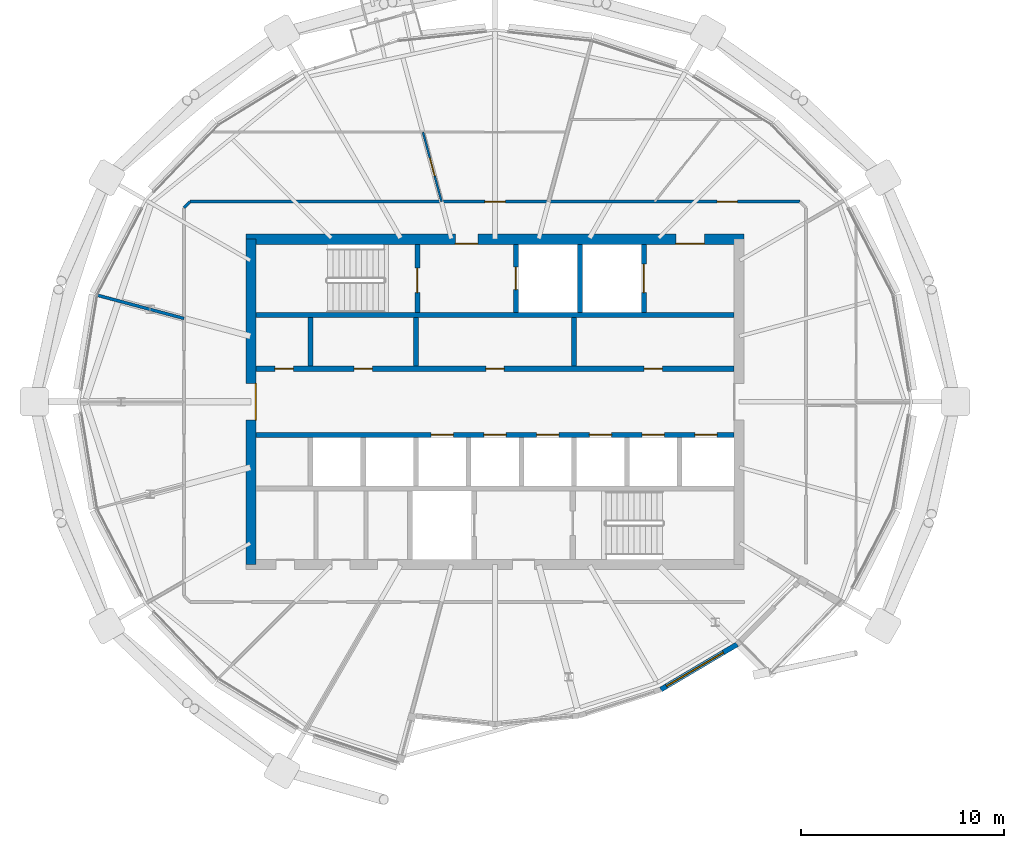
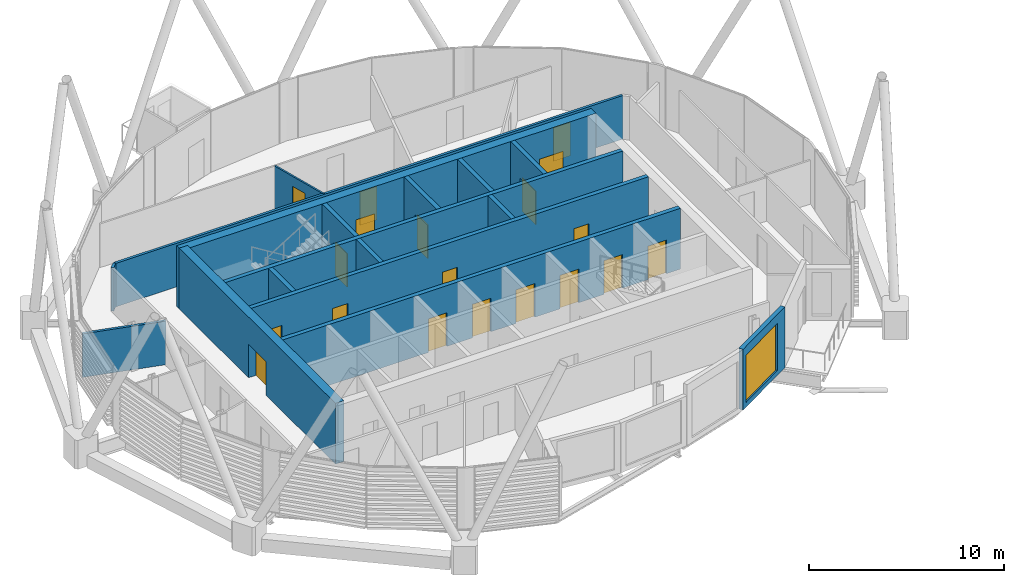
# One storey, part 20 of 32: 19 doors, 17 walls, 1 window, 20 openings.
"""IFC4 building model written with IfcOpenShell, lengths in metres."""

import ifcopenshell
import ifcopenshell.guid

model = None  # the IFC model being written
_history = None  # IfcOwnerHistory: only IFC2X3 demands one
_inside = {}  # id of a spatial element -> (the spatial element, [elements in it])
_under = {}  # id of a project, library or spatial element -> (it, [spatial elements below it])
_declared = {}  # id of a project -> (the project, [libraries it declares])
_typed = {}  # id of a type object -> (the type object, [elements of that type])
_made_of = {}  # id of a material, layer set ... -> (it, [elements and type objects made of it])


def new_model(schema):
    """Start an empty IFC model of exactly this schema.

    Asked for "IFC4X3", IfcOpenShell would pick the latest addendum, in which some entities
    have other attributes; the version numbers below select the first issue.
    IFC2X3 requires an IfcOwnerHistory on every rooted entity: one is made here for all.
    """
    global model, _history
    if schema == "IFC4X3":
        model = ifcopenshell.file(schema_version=(4, 3, 0, 0))
    else:
        model = ifcopenshell.file(schema=schema)
    _inside.clear()
    _under.clear()
    _declared.clear()
    _typed.clear()
    _made_of.clear()
    _history = None
    if model.schema == "IFC2X3":
        org = make("IfcOrganization", Name="unknown")
        user = make(
            "IfcPersonAndOrganization",
            ThePerson=make("IfcPerson", FamilyName="unknown"),
            TheOrganization=org,
        )
        app = make(
            "IfcApplication",
            ApplicationDeveloper=org,
            Version="unknown",
            ApplicationFullName="unknown",
            ApplicationIdentifier="unknown",
        )
        _history = make(
            "IfcOwnerHistory",
            OwningUser=user,
            OwningApplication=app,
            ChangeAction="ADDED",
            CreationDate=0,
        )
    return model


def make(cls, **values):
    """One entity of the class cls with the attributes given. An attribute that is None is left unset."""
    return model.create_entity(
        cls, **{name: value for name, value in values.items() if value is not None}
    )


def rooted(cls, **values):
    """An entity with a GlobalId (a new one), such as an element, a storey or a relation."""
    return make(cls, GlobalId=ifcopenshell.guid.new(), OwnerHistory=_history, **values)


def si_unit(unit_type, name, prefix=None):
    """IfcSIUnit, for example si_unit("LENGTHUNIT", "METRE", prefix="MILLI")."""
    return make("IfcSIUnit", UnitType=unit_type, Prefix=prefix, Name=name)


def assignment(units):
    """IfcUnitAssignment: the units of a project."""
    return None if units is None else make("IfcUnitAssignment", Units=units)


def point(xyz):
    """IfcCartesianPoint."""
    return None if xyz is None else make("IfcCartesianPoint", Coordinates=xyz)


def direction(xyz):
    """IfcDirection."""
    return None if xyz is None else make("IfcDirection", DirectionRatios=xyz)


def frame(location, z_axis=None, x_axis=None):
    """IfcAxis2Placement3D, a coordinate frame: its origin and axes. An axis left out is left unset."""
    return make(
        "IfcAxis2Placement3D",
        Location=point(location),
        Axis=direction(z_axis),
        RefDirection=direction(x_axis),
    )


def frame_2d(location, x_axis=None):
    """IfcAxis2Placement2D, a coordinate frame in the plane: its origin and x axis."""
    return make(
        "IfcAxis2Placement2D", Location=point(location), RefDirection=direction(x_axis)
    )


def origin():
    """The frame at (0, 0, 0) with its axes left unset."""
    return frame((0.0, 0.0, 0.0))


def place(relative_to, where):
    """IfcLocalPlacement: puts the frame where relative to a parent placement (None: the world)."""
    return make(
        "IfcLocalPlacement", PlacementRelTo=relative_to, RelativePlacement=where
    )


def context(
    kind, dimensions, precision=None, world=None, true_north=None, identifier=None
):
    """IfcGeometricRepresentationContext, for example the 3D "Model" context."""
    return make(
        "IfcGeometricRepresentationContext",
        ContextIdentifier=identifier,
        ContextType=kind,
        CoordinateSpaceDimension=dimensions,
        Precision=precision,
        WorldCoordinateSystem=world,
        TrueNorth=true_north,
    )


def subcontext(parent, identifier, kind, view, scale=None):
    """IfcGeometricRepresentationSubContext, for example "Body" below "Model"."""
    return make(
        "IfcGeometricRepresentationSubContext",
        ContextIdentifier=identifier,
        ContextType=kind,
        ParentContext=parent,
        TargetScale=scale,
        TargetView=view,
    )


def project(units=None, contexts=None):
    """IfcProject with its units and contexts."""
    return rooted(
        "IfcProject",
        Name="project",
        RepresentationContexts=contexts,
        UnitsInContext=assignment(units),
    )


def spatial(cls, under=None, at=None, **own):
    """A site, building, storey or space (cls), placed at a placement, below another one or the project."""
    s = rooted(cls, ObjectPlacement=at, **own)
    if under is not None:
        _under.setdefault(under.id(), (under, []))[1].append(s)
    return s


def profile(cls, at=None, kind="AREA", **sizes):
    """A parametric profile (cls). Its sizes go by their IFC names, for example OverallWidth=200.0."""
    return make(cls, ProfileType=kind, Position=at, **sizes)


def rectangle(**sizes):
    """IfcRectangleProfileDef."""
    return profile("IfcRectangleProfileDef", **sizes)


def extrude(swept, where, along, depth):
    """IfcExtrudedAreaSolid: the profile swept, set in the frame where, extruded along a direction by depth."""
    return make(
        "IfcExtrudedAreaSolid",
        SweptArea=swept,
        Position=where,
        ExtrudedDirection=direction(along),
        Depth=depth,
    )


def shape(context_of_items, identifier, shape_type, items):
    """IfcShapeRepresentation: the items that make up one representation, for example the "Body"."""
    return make(
        "IfcShapeRepresentation",
        ContextOfItems=context_of_items,
        RepresentationIdentifier=identifier,
        RepresentationType=shape_type,
        Items=items,
    )


def material(Name=None, Category=None):
    """IfcMaterial."""
    return make("IfcMaterial", Name=Name, Category=Category)


def layer(
    of_material, thickness, ventilated=None, Name=None, Category=None, Priority=None
):
    """IfcMaterialLayer: one layer of a wall or slab, of a material (None: an air gap)."""
    return make(
        "IfcMaterialLayer",
        Material=of_material,
        LayerThickness=thickness,
        IsVentilated=ventilated,
        Name=Name,
        Category=Category,
        Priority=Priority,
    )


def layer_set(layers, Name=None):
    """IfcMaterialLayerSet."""
    return make("IfcMaterialLayerSet", MaterialLayers=layers, LayerSetName=Name)


def made_of(thing, what):
    """Note that an element or type object is made of a material, layer set ...; save() writes the relation."""
    if what is not None:
        _made_of.setdefault(what.id(), (what, []))[1].append(thing)
    return thing


def type_object(cls, material=None, **own):
    """A type object (cls), such as IfcWallType, which elements share."""
    return made_of(rooted(cls, **own), material)


def element(
    cls,
    number,
    at=None,
    inside=None,
    cuts=None,
    type_object=None,
    material=None,
    context=None,
    identifier="Body",
    shape_type=None,
    held_by="IfcProductDefinitionShape",
    body=None,
    shapes=None,
    **own,
):
    """One element of the class cls, such as IfcWall. Its Tag is "e" and its number.

    at: its placement. inside: the storey or other place that contains it. cuts: it is an
    opening in that element (IfcRelVoidsElement). A single representation is given by context,
    identifier, shape_type and body (its items); several are given by shapes. held_by: the class
    of the entity that holds the representations. save() writes the other relations.
    """
    e = rooted(cls, Tag="e%d" % number, ObjectPlacement=at, **own)
    if body is not None:
        shapes = [shape(context, identifier, shape_type, body)]
    if shapes is not None:
        e.Representation = make(held_by, Representations=shapes)
    if inside is not None:
        _inside.setdefault(inside.id(), (inside, []))[1].append(e)
    if cuts is not None:
        rooted(
            "IfcRelVoidsElement", RelatingBuildingElement=cuts, RelatedOpeningElement=e
        )
    if type_object is not None:
        _typed.setdefault(type_object.id(), (type_object, []))[1].append(e)
    return made_of(e, material)


def fill(opening, filler):
    """IfcRelFillsElement: the door or window that sits in an opening."""
    return rooted(
        "IfcRelFillsElement",
        RelatingOpeningElement=opening,
        RelatedBuildingElement=filler,
    )


def aggregate(whole, parts):
    """IfcRelAggregates: a whole, such as a stair, and the parts it consists of."""
    return rooted("IfcRelAggregates", RelatingObject=whole, RelatedObjects=parts)


def save(model, path):
    """Write the relations noted so far, then the file.

    IfcRelAggregates (storeys below a building ...), IfcRelContainedInSpatialStructure (elements
    in a storey), IfcRelDefinesByType, IfcRelAssociatesMaterial and IfcRelDeclares: one each for
    every whole, place, type object, material and project.
    """
    for whole, parts in _under.values():
        aggregate(whole, parts)
    for where, things in _inside.values():
        rooted(
            "IfcRelContainedInSpatialStructure",
            RelatedElements=things,
            RelatingStructure=where,
        )
    for kind, things in _typed.values():
        rooted("IfcRelDefinesByType", RelatedObjects=things, RelatingType=kind)
    for what, things in _made_of.values():
        rooted("IfcRelAssociatesMaterial", RelatedObjects=things, RelatingMaterial=what)
    for by, libraries in _declared.values():
        rooted("IfcRelDeclares", RelatingContext=by, RelatedDefinitions=libraries)
    model.write(path)


model = new_model("IFC4")

# Units and contexts
model_context = context("Model", 3, precision=1e-05, world=origin(), true_north=direction((0.0, 1.0)))
body_context = subcontext(model_context, "Body", "Model", "MODEL_VIEW")
ifc_project = project(units=[si_unit("LENGTHUNIT", "METRE"), si_unit("AREAUNIT", "SQUARE_METRE"), si_unit("VOLUMEUNIT", "CUBIC_METRE"), si_unit("PLANEANGLEUNIT", "RADIAN"), si_unit("MASSUNIT", "GRAM", prefix="KILO")], contexts=[model_context])

# Site, building, storey
site_placement = place(None, origin())
site = spatial("IfcSite", under=ifc_project, at=site_placement, CompositionType="ELEMENT")
building_placement = place(site_placement, origin())
building = spatial("IfcBuilding", under=site, at=building_placement, Name="Rimbun Link Towers", CompositionType="ELEMENT")
storey_placement = place(building_placement, frame((0.0, 0.0, 233.300048828125)))
storey = spatial("IfcBuildingStorey", under=building, at=storey_placement, Name="L57", CompositionType="ELEMENT", Elevation=233.300048828125)

# Wall, opening, window
ifc_material_1 = material(Name="Dark enamelled glass spandrel on insulated aluminium backpan", Category="aluminium")
ifc_layer_1 = layer(ifc_material_1, 0.25)
ifc_layer_set_1 = layer_set([ifc_layer_1], Name="CS dark enamelled spandrel wall 250")
wall_type_1 = type_object("IfcWallType", Name="CS dark enamelled spandrel wall 250", PredefinedType="STANDARD", material=ifc_layer_set_1)
wall_1_placement = place(storey_placement, frame((-19.836669921875, -11.93505859375, 0.0), z_axis=(0.0, 0.0, 1.0), x_axis=(-0.860265171874, -0.50984687315, 0.0)))
wall_1 = element("IfcWall", 1, at=wall_1_placement, inside=storey, type_object=wall_type_1, Name="Crease spandrel wall", PredefinedType="STANDARD", context=body_context, shape_type="SweptSolid", body=[
    extrude(rectangle(XDim=4.36279296875, YDim=0.25, at=frame_2d((2.181396484375, 0.0))), origin(), (0.0, 0.0, 1.0), 3.800048828125),
])
opening_1_placement = place(wall_1_placement, frame((0.786376953125, 0.0, 0.300048828125)))
opening_1 = element("IfcOpeningElement", 2, at=opening_1_placement, cuts=wall_1, Name="Opening WR32H295", PredefinedType="OPENING", context=body_context, shape_type="SweptSolid", body=[
    extrude(rectangle(XDim=3.25, YDim=2.949951171875, at=frame_2d((1.625, 1.47509765625))), frame((0.0, 0.135009765625, 0.0), z_axis=(0.0, -1.0, 0.0), x_axis=(1.0, 0.0, 0.0)), (0.0, 0.0, 1.0), 0.27001953125),
])
ifc_material_2 = material(Name="Aluminium framed fixed window, dark tinted low-e glass", Category="aluminium")
window_type = type_object("IfcWindowType", Name="WR ribbon window 3250X2950", PartitioningType="SINGLE_PANEL", PredefinedType="WINDOW", material=ifc_material_2)
window_placement = place(opening_1_placement, origin())
window = element("IfcWindow", 3, at=window_placement, inside=storey, type_object=window_type, Name="Crease ribbon window", OverallHeight=2.949951171875, OverallWidth=3.25, PartitioningType="SINGLE_PANEL", PredefinedType="WINDOW", context=body_context, shape_type="SweptSolid", body=[
    extrude(rectangle(XDim=3.25, YDim=2.949951171875, at=frame_2d((1.625, 1.47509765625))), frame((0.0, 0.030029296875, 0.0), z_axis=(0.0, -1.0, 0.0), x_axis=(1.0, 0.0, 0.0)), (0.0, 0.0, 1.0), 0.06005859375),
])
fill(opening_1, window)

# Wall, openings, doors
ifc_material_3 = material(Name="Concrete C60/75", Category="concrete")
ifc_layer_2 = layer(ifc_material_3, 0.5)
ifc_layer_set_2 = layer_set([ifc_layer_2], Name="Core shear wall 500")
wall_type_2 = type_object("IfcWallType", Name="Core shear wall 500", PredefinedType="SHEAR", material=ifc_layer_set_2)
wall_2_placement = place(storey_placement, frame((-44.0, 8.0, 0.0), z_axis=(0.0, 0.0, 1.0), x_axis=(1.0, 0.0, 0.0)))
wall_2 = element("IfcWall", 4, at=wall_2_placement, inside=storey, type_object=wall_type_2, Name="L57 T1 core wall N", PredefinedType="SHEAR", context=body_context, shape_type="SweptSolid", body=[
    extrude(rectangle(XDim=24.5, YDim=0.5, at=frame_2d((12.25, 0.0))), origin(), (0.0, 0.0, 1.0), 3.800048828125),
])
opening_2_placement = place(wall_2_placement, frame((10.300048828125, 0.0, 0.0)))
opening_2 = element("IfcOpeningElement", 5, at=opening_2_placement, cuts=wall_2, Name="Opening C1DCF01N", PredefinedType="OPENING", context=body_context, shape_type="SweptSolid", body=[
    extrude(rectangle(XDim=1.10009765625, YDim=2.10009765625, at=frame_2d((0.550048828125, 1.050048828125))), frame((0.0, 0.260009765625, 0.0), z_axis=(0.0, -1.0, 0.0), x_axis=(1.0, 0.0, 0.0)), (0.0, 0.0, 1.0), 0.52001953125),
])
opening_3_placement = place(wall_2_placement, frame((21.14990234375, 0.0, 0.0)))
opening_3 = element("IfcOpeningElement", 6, at=opening_3_placement, cuts=wall_2, Name="Opening C1DSL02N", PredefinedType="OPENING", context=body_context, shape_type="SweptSolid", body=[
    extrude(rectangle(XDim=1.39990234375, YDim=2.10009765625, at=frame_2d((0.699951171875, 1.050048828125))), frame((0.0, 0.260009765625, 0.0), z_axis=(0.0, -1.0, 0.0), x_axis=(1.0, 0.0, 0.0)), (0.0, 0.0, 1.0), 0.52001953125),
])
ifc_material_4 = material(Name="Steel fire door set", Category="steel")
door_type_1 = type_object("IfcDoorType", Name="Core fire door single", OperationType="SINGLE_SWING_LEFT", PredefinedType="DOOR", material=ifc_material_4)
door_1_placement = place(opening_2_placement, origin())
door_1 = element("IfcDoor", 7, at=door_1_placement, inside=storey, type_object=door_type_1, Name="L57 T1 firefighting lobby n door", OperationType="SINGLE_SWING_LEFT", OverallHeight=2.10009765625, OverallWidth=1.10009765625, PredefinedType="DOOR", context=body_context, shape_type="SweptSolid", body=[
    extrude(rectangle(XDim=1.10009765625, YDim=2.10009765625, at=frame_2d((0.550048828125, 1.050048828125))), frame((0.0, -0.2001953125, 0.0), z_axis=(0.0, -1.0, 0.0), x_axis=(1.0, 0.0, 0.0)), (0.0, 0.0, 1.0), 0.050048828125),
])
fill(opening_2, door_1)
ifc_material_5 = material(Name="Steel fire door set", Category="steel")
door_type_2 = type_object("IfcDoorType", Name="Service lobby door double", OperationType="DOUBLE_DOOR_SINGLE_SWING", PredefinedType="DOOR", material=ifc_material_5)
door_2_placement = place(opening_3_placement, origin())
door_2 = element("IfcDoor", 8, at=door_2_placement, inside=storey, type_object=door_type_2, Name="L57 T1 service lobby door", OperationType="DOUBLE_DOOR_SINGLE_SWING", OverallHeight=2.10009765625, OverallWidth=1.39990234375, PredefinedType="DOOR", context=body_context, shape_type="SweptSolid", body=[
    extrude(rectangle(XDim=1.39990234375, YDim=2.10009765625, at=frame_2d((0.699951171875, 1.050048828125))), frame((0.0, -0.2001953125, 0.0), z_axis=(0.0, -1.0, 0.0), x_axis=(1.0, 0.0, 0.0)), (0.0, 0.0, 1.0), 0.050048828125),
])
fill(opening_3, door_2)

# Wall, opening, door
wall_3_placement = place(storey_placement, frame((-43.75, -8.0, 0.0), z_axis=(0.0, 0.0, 1.0), x_axis=(0.0, 1.0, 0.0)))
wall_3 = element("IfcWall", 9, at=wall_3_placement, inside=storey, type_object=wall_type_2, Name="L57 T1 core wall W", PredefinedType="SHEAR", context=body_context, shape_type="SweptSolid", body=[
    extrude(rectangle(XDim=16.0, YDim=0.5, at=frame_2d((8.0, 0.0))), origin(), (0.0, 0.0, 1.0), 3.800048828125),
])
opening_4_placement = place(wall_3_placement, frame((7.10009765625, 0.0, 0.0)))
opening_4 = element("IfcOpeningElement", 10, at=opening_4_placement, cuts=wall_3, Name="Opening C1DCL01W", PredefinedType="OPENING", context=body_context, shape_type="SweptSolid", body=[
    extrude(rectangle(XDim=1.800048828125, YDim=2.10009765625, at=frame_2d((0.89990234375, 1.050048828125))), frame((0.0, 0.260009765625, 0.0), z_axis=(0.0, -1.0, 0.0), x_axis=(1.0, 0.0, 0.0)), (0.0, 0.0, 1.0), 0.52001953125),
])
ifc_material_6 = material(Name="Steel fire door set", Category="steel")
door_type_3 = type_object("IfcDoorType", Name="Core lobby door double", OperationType="DOUBLE_DOOR_SINGLE_SWING", PredefinedType="DOOR", material=ifc_material_6)
door_3_placement = place(opening_4_placement, origin())
door_3 = element("IfcDoor", 11, at=door_3_placement, inside=storey, type_object=door_type_3, Name="L57 T1 lift lobby door", OperationType="DOUBLE_DOOR_SINGLE_SWING", OverallHeight=2.10009765625, OverallWidth=1.800048828125, PredefinedType="DOOR", context=body_context, shape_type="SweptSolid", body=[
    extrude(rectangle(XDim=1.800048828125, YDim=2.10009765625, at=frame_2d((0.89990234375, 1.050048828125))), frame((0.0, -0.2001953125, 0.0), z_axis=(0.0, -1.0, 0.0), x_axis=(1.0, 0.0, 0.0)), (0.0, 0.0, 1.0), 0.050048828125),
])
fill(opening_4, door_3)

# Wall
ifc_material_7 = material(Name="Plasterboard on steel stud, mineral wool", Category="steel")
ifc_layer_3 = layer(ifc_material_7, 0.14990234375)
ifc_layer_set_3 = layer_set([ifc_layer_3], Name="Corridor wall EI 30 150 mm")
wall_type_3 = type_object("IfcWallType", Name="Corridor wall EI 30 150 mm", PredefinedType="PARTITIONING", material=ifc_layer_set_3)
wall_4_placement = place(storey_placement, frame((-46.753662109375, 9.844970703125, 0.0), z_axis=(0.0, 0.0, 1.0), x_axis=(-0.707106781187, -0.707106781187, 0.0)))
element("IfcWall", 12, at=wall_4_placement, inside=storey, type_object=wall_type_3, Name="Corridor wall EI 30 150 mm", PredefinedType="PARTITIONING", context=body_context, shape_type="SweptSolid", body=[
    extrude(rectangle(XDim=0.426025390625, YDim=0.14990234375, at=frame_2d((0.212890625, 0.0))), origin(), (0.0, 0.0, 1.0), 2.721923828125),
])

# Wall, openings, doors
wall_5_placement = place(storey_placement, frame((-46.753662109375, 9.844970703125, 0.0), z_axis=(0.0, 0.0, 1.0), x_axis=(1.0, 0.0, 0.0)))
wall_5 = element("IfcWall", 13, at=wall_5_placement, inside=storey, type_object=wall_type_3, Name="Corridor wall EI 30 150 mm", PredefinedType="PARTITIONING", context=body_context, shape_type="SweptSolid", body=[
    extrude(rectangle(XDim=30.00732421875, YDim=0.14990234375, at=frame_2d((15.003662109375, 0.0))), origin(), (0.0, 0.0, 1.0), 2.721923828125),
])
opening_5_placement = place(wall_5_placement, frame((25.933837890625, 0.0, 0.0)))
opening_5 = element("IfcOpeningElement", 14, at=opening_5_placement, cuts=wall_5, Name="Opening D01", PredefinedType="OPENING", context=body_context, shape_type="SweptSolid", body=[
    extrude(rectangle(XDim=1.0, YDim=2.10009765625, at=frame_2d((0.5, 1.050048828125))), frame((0.0, 0.0849609375, 0.0), z_axis=(0.0, -1.0, 0.0), x_axis=(1.0, 0.0, 0.0)), (0.0, 0.0, 1.0), 0.169921875),
])
opening_6_placement = place(wall_5_placement, frame((14.507080078125, 0.0, 0.0)))
opening_6 = element("IfcOpeningElement", 15, at=opening_6_placement, cuts=wall_5, Name="Opening D01", PredefinedType="OPENING", context=body_context, shape_type="SweptSolid", body=[
    extrude(rectangle(XDim=1.0, YDim=2.10009765625, at=frame_2d((0.5, 1.050048828125))), frame((0.0, 0.0849609375, 0.0), z_axis=(0.0, -1.0, 0.0), x_axis=(1.0, 0.0, 0.0)), (0.0, 0.0, 1.0), 0.169921875),
])
ifc_material_8 = material(Name="Fire-resisting timber door leaf", Category="wood")
door_type_4 = type_object("IfcDoorType", Name="Fire door FD30S 1000", OperationType="NOTDEFINED", PredefinedType="DOOR", material=ifc_material_8)
door_4_placement = place(opening_5_placement, origin())
door_4 = element("IfcDoor", 16, at=door_4_placement, inside=storey, type_object=door_type_4, Name="Fire door FD30S 1000 to Reception", OperationType="SINGLE_SWING_RIGHT", OverallHeight=2.10009765625, OverallWidth=1.0, PredefinedType="DOOR", context=body_context, shape_type="SweptSolid", body=[
    extrude(rectangle(XDim=1.0, YDim=2.10009765625, at=frame_2d((0.5, 1.050048828125))), frame((0.0, 0.02490234375, 0.0), z_axis=(0.0, -1.0, 0.0), x_axis=(1.0, 0.0, 0.0)), (0.0, 0.0, 1.0), 0.050048828125),
])
fill(opening_5, door_4)
door_5_placement = place(opening_6_placement, origin())
door_5 = element("IfcDoor", 17, at=door_5_placement, inside=storey, type_object=door_type_4, Name="Fire door FD30S 1000 to Reception", OperationType="SINGLE_SWING_LEFT", OverallHeight=2.10009765625, OverallWidth=1.0, PredefinedType="DOOR", context=body_context, shape_type="SweptSolid", body=[
    extrude(rectangle(XDim=1.0, YDim=2.10009765625, at=frame_2d((0.5, 1.050048828125))), frame((0.0, 0.02490234375, 0.0), z_axis=(0.0, -1.0, 0.0), x_axis=(1.0, 0.0, 0.0)), (0.0, 0.0, 1.0), 0.050048828125),
])
fill(opening_6, door_5)

# Wall, opening, door
ifc_material_9 = material(Name="Plasterboard on steel stud", Category="steel")
ifc_layer_4 = layer(ifc_material_9, 0.10009765625)
ifc_layer_set_4 = layer_set([ifc_layer_4], Name="Plasterboard partition 100 mm")
wall_type_4 = type_object("IfcWallType", Name="Plasterboard partition 100 mm", PredefinedType="PARTITIONING", material=ifc_layer_set_4)
wall_6_placement = place(storey_placement, frame((-34.380859375, 9.844970703125, 0.0), z_axis=(0.0, 0.0, 1.0), x_axis=(-0.258212054704, 0.966088264501, 0.0)))
wall_6 = element("IfcWall", 18, at=wall_6_placement, inside=storey, type_object=wall_type_4, Name="Plasterboard partition 100 mm", PredefinedType="PARTITIONING", context=body_context, shape_type="SweptSolid", body=[
    extrude(rectangle(XDim=3.5400390625, YDim=0.10009765625, at=frame_2d((1.77001953125, 0.0))), origin(), (0.0, 0.0, 1.0), 2.721923828125),
])
opening_7_placement = place(wall_6_placement, frame((1.320068359375, 0.0, 0.0)))
opening_7 = element("IfcOpeningElement", 19, at=opening_7_placement, cuts=wall_6, Name="Opening D04", PredefinedType="OPENING", context=body_context, shape_type="SweptSolid", body=[
    extrude(rectangle(XDim=0.89990234375, YDim=2.10009765625, at=frame_2d((0.449951171875, 1.050048828125))), frame((0.0, 0.06005859375, 0.0), z_axis=(0.0, -1.0, 0.0), x_axis=(1.0, 0.0, 0.0)), (0.0, 0.0, 1.0), 0.1201171875),
])
ifc_material_10 = material(Name="Timber door leaf", Category="wood")
door_type_5 = type_object("IfcDoorType", Name="Flush door 900", OperationType="NOTDEFINED", PredefinedType="DOOR", material=ifc_material_10)
door_6_placement = place(opening_7_placement, origin())
door_6 = element("IfcDoor", 20, at=door_6_placement, inside=storey, type_object=door_type_5, Name="Flush door 900 to Meeting room", OperationType="SINGLE_SWING_RIGHT", OverallHeight=2.10009765625, OverallWidth=0.89990234375, PredefinedType="DOOR", context=body_context, shape_type="SweptSolid", body=[
    extrude(rectangle(XDim=0.89990234375, YDim=2.10009765625, at=frame_2d((0.449951171875, 1.050048828125))), frame((0.0, 0.02490234375, 0.0), z_axis=(0.0, -1.0, 0.0), x_axis=(1.0, 0.0, 0.0)), (0.0, 0.0, 1.0), 0.050048828125),
])
fill(opening_7, door_6)

# Wall
ifc_material_11 = material(Name="Concrete C60/75", Category="concrete")
ifc_layer_5 = layer(ifc_material_11, 0.25)
ifc_layer_set_5 = layer_set([ifc_layer_5], Name="Shaft wall 250")
wall_type_5 = type_object("IfcWallType", Name="Shaft wall 250", PredefinedType="SHEAR", material=ifc_layer_set_5)
wall_7_placement = place(storey_placement, frame((-43.5, 4.27490234375, 0.0), z_axis=(0.0, 0.0, 1.0), x_axis=(1.0, 0.0, 0.0)))
element("IfcWall", 21, at=wall_7_placement, inside=storey, type_object=wall_type_5, Name="L57 T1 core wall BN", PredefinedType="SHEAR", context=body_context, shape_type="SweptSolid", body=[
    extrude(rectangle(XDim=23.5, YDim=0.25, at=frame_2d((11.75, 0.0))), origin(), (0.0, 0.0, 1.0), 3.800048828125),
])

# Wall, openings, doors
wall_8_placement = place(storey_placement, frame((-43.5, 1.625, 0.0), z_axis=(0.0, 0.0, 1.0), x_axis=(1.0, 0.0, 0.0)))
wall_8 = element("IfcWall", 22, at=wall_8_placement, inside=storey, type_object=wall_type_5, Name="L57 T1 core wall FN", PredefinedType="SHEAR", context=body_context, shape_type="SweptSolid", body=[
    extrude(rectangle(XDim=23.5, YDim=0.25, at=frame_2d((11.75, 0.0))), origin(), (0.0, 0.0, 1.0), 3.800048828125),
])
opening_8_placement = place(wall_8_placement, frame((0.922119140625, 0.0, 0.0)))
opening_8 = element("IfcOpeningElement", 23, at=opening_8_placement, cuts=wall_8, Name="Opening C1DRS01FN", PredefinedType="OPENING", context=body_context, shape_type="SweptSolid", body=[
    extrude(rectangle(XDim=0.89990234375, YDim=2.10009765625, at=frame_2d((0.449951171875, 1.050048828125))), frame((0.0, 0.135009765625, 0.0), z_axis=(0.0, -1.0, 0.0), x_axis=(1.0, 0.0, 0.0)), (0.0, 0.0, 1.0), 0.27001953125),
])
opening_9_placement = place(wall_8_placement, frame((4.81396484375, 0.0, 0.0)))
opening_9 = element("IfcOpeningElement", 24, at=opening_9_placement, cuts=wall_8, Name="Opening C1DRS02FN", PredefinedType="OPENING", context=body_context, shape_type="SweptSolid", body=[
    extrude(rectangle(XDim=0.89990234375, YDim=2.10009765625, at=frame_2d((0.449951171875, 1.050048828125))), frame((0.0, 0.135009765625, 0.0), z_axis=(0.0, -1.0, 0.0), x_axis=(1.0, 0.0, 0.0)), (0.0, 0.0, 1.0), 0.27001953125),
])
opening_10_placement = place(wall_8_placement, frame((11.300048828125, 0.0, 0.0)))
opening_10 = element("IfcOpeningElement", 25, at=opening_10_placement, cuts=wall_8, Name="Opening C1DRS03FN", PredefinedType="OPENING", context=body_context, shape_type="SweptSolid", body=[
    extrude(rectangle(XDim=0.89990234375, YDim=2.10009765625, at=frame_2d((0.449951171875, 1.050048828125))), frame((0.0, 0.135009765625, 0.0), z_axis=(0.0, -1.0, 0.0), x_axis=(1.0, 0.0, 0.0)), (0.0, 0.0, 1.0), 0.27001953125),
])
opening_11_placement = place(wall_8_placement, frame((19.083251953125, 0.0, 0.0)))
opening_11 = element("IfcOpeningElement", 26, at=opening_11_placement, cuts=wall_8, Name="Opening C1DRS04FN", PredefinedType="OPENING", context=body_context, shape_type="SweptSolid", body=[
    extrude(rectangle(XDim=0.89990234375, YDim=2.10009765625, at=frame_2d((0.449951171875, 1.050048828125))), frame((0.0, 0.135009765625, 0.0), z_axis=(0.0, -1.0, 0.0), x_axis=(1.0, 0.0, 0.0)), (0.0, 0.0, 1.0), 0.27001953125),
])
ifc_material_12 = material(Name="Steel fire door set", Category="steel")
door_type_6 = type_object("IfcDoorType", Name="Core riser door", OperationType="SINGLE_SWING_LEFT", PredefinedType="DOOR", material=ifc_material_12)
door_7_placement = place(opening_8_placement, origin())
door_7 = element("IfcDoor", 27, at=door_7_placement, inside=storey, type_object=door_type_6, Name="L57 T1 cleaner store door", OperationType="SINGLE_SWING_LEFT", OverallHeight=2.10009765625, OverallWidth=0.89990234375, PredefinedType="DOOR", context=body_context, shape_type="SweptSolid", body=[
    extrude(rectangle(XDim=0.89990234375, YDim=2.10009765625, at=frame_2d((0.449951171875, 1.050048828125))), frame((0.0, 0.02490234375, 0.0), z_axis=(0.0, -1.0, 0.0), x_axis=(1.0, 0.0, 0.0)), (0.0, 0.0, 1.0), 0.050048828125),
])
fill(opening_8, door_7)
door_8_placement = place(opening_9_placement, origin())
door_8 = element("IfcDoor", 28, at=door_8_placement, inside=storey, type_object=door_type_6, Name="L57 T1 staff lounge door", OperationType="SINGLE_SWING_LEFT", OverallHeight=2.10009765625, OverallWidth=0.89990234375, PredefinedType="DOOR", context=body_context, shape_type="SweptSolid", body=[
    extrude(rectangle(XDim=0.89990234375, YDim=2.10009765625, at=frame_2d((0.449951171875, 1.050048828125))), frame((0.0, 0.02490234375, 0.0), z_axis=(0.0, -1.0, 0.0), x_axis=(1.0, 0.0, 0.0)), (0.0, 0.0, 1.0), 0.050048828125),
])
fill(opening_9, door_8)
door_9_placement = place(opening_10_placement, origin())
door_9 = element("IfcDoor", 29, at=door_9_placement, inside=storey, type_object=door_type_6, Name="L57 T1 training store door", OperationType="SINGLE_SWING_LEFT", OverallHeight=2.10009765625, OverallWidth=0.89990234375, PredefinedType="DOOR", context=body_context, shape_type="SweptSolid", body=[
    extrude(rectangle(XDim=0.89990234375, YDim=2.10009765625, at=frame_2d((0.449951171875, 1.050048828125))), frame((0.0, 0.02490234375, 0.0), z_axis=(0.0, -1.0, 0.0), x_axis=(1.0, 0.0, 0.0)), (0.0, 0.0, 1.0), 0.050048828125),
])
fill(opening_10, door_9)
door_10_placement = place(opening_11_placement, origin())
door_10 = element("IfcDoor", 30, at=door_10_placement, inside=storey, type_object=door_type_6, Name="L57 T1 meeting pod door", OperationType="SINGLE_SWING_LEFT", OverallHeight=2.10009765625, OverallWidth=0.89990234375, PredefinedType="DOOR", context=body_context, shape_type="SweptSolid", body=[
    extrude(rectangle(XDim=0.89990234375, YDim=2.10009765625, at=frame_2d((0.449951171875, 1.050048828125))), frame((0.0, 0.02490234375, 0.0), z_axis=(0.0, -1.0, 0.0), x_axis=(1.0, 0.0, 0.0)), (0.0, 0.0, 1.0), 0.050048828125),
])
fill(opening_11, door_10)

wall_9_placement = place(storey_placement, frame((-43.5, -1.625, 0.0), z_axis=(0.0, 0.0, 1.0), x_axis=(1.0, 0.0, 0.0)))
wall_9 = element("IfcWall", 31, at=wall_9_placement, inside=storey, type_object=wall_type_5, Name="L57 T1 core wall FS", PredefinedType="SHEAR", context=body_context, shape_type="SweptSolid", body=[
    extrude(rectangle(XDim=23.5, YDim=0.25, at=frame_2d((11.75, 0.0))), origin(), (0.0, 0.0, 1.0), 3.800048828125),
])
opening_12_placement = place(wall_9_placement, frame((8.605712890625, 0.0, 0.0)))
opening_12 = element("IfcOpeningElement", 32, at=opening_12_placement, cuts=wall_9, Name="Opening LD-T1-HR1", PredefinedType="OPENING", context=body_context, shape_type="SweptSolid", body=[
    extrude(rectangle(XDim=1.10009765625, YDim=2.10009765625, at=frame_2d((0.550048828125, 1.050048828125))), frame((0.0, 0.135009765625, 0.0), z_axis=(0.0, -1.0, 0.0), x_axis=(1.0, 0.0, 0.0)), (0.0, 0.0, 1.0), 0.27001953125),
])
opening_13_placement = place(wall_9_placement, frame((11.199951171875, 0.0, 0.0)))
opening_13 = element("IfcOpeningElement", 33, at=opening_13_placement, cuts=wall_9, Name="Opening LD-T1-HR2", PredefinedType="OPENING", context=body_context, shape_type="SweptSolid", body=[
    extrude(rectangle(XDim=1.10009765625, YDim=2.10009765625, at=frame_2d((0.550048828125, 1.050048828125))), frame((0.0, 0.135009765625, 0.0), z_axis=(0.0, -1.0, 0.0), x_axis=(1.0, 0.0, 0.0)), (0.0, 0.0, 1.0), 0.27001953125),
])
opening_14_placement = place(wall_9_placement, frame((13.79443359375, 0.0, 0.0)))
opening_14 = element("IfcOpeningElement", 34, at=opening_14_placement, cuts=wall_9, Name="Opening LD-T1-HR3", PredefinedType="OPENING", context=body_context, shape_type="SweptSolid", body=[
    extrude(rectangle(XDim=1.10009765625, YDim=2.10009765625, at=frame_2d((0.550048828125, 1.050048828125))), frame((0.0, 0.135009765625, 0.0), z_axis=(0.0, -1.0, 0.0), x_axis=(1.0, 0.0, 0.0)), (0.0, 0.0, 1.0), 0.27001953125),
])
opening_15_placement = place(wall_9_placement, frame((16.388916015625, 0.0, 0.0)))
opening_15 = element("IfcOpeningElement", 35, at=opening_15_placement, cuts=wall_9, Name="Opening LD-T1-HR4", PredefinedType="OPENING", context=body_context, shape_type="SweptSolid", body=[
    extrude(rectangle(XDim=1.10009765625, YDim=2.10009765625, at=frame_2d((0.550048828125, 1.050048828125))), frame((0.0, 0.135009765625, 0.0), z_axis=(0.0, -1.0, 0.0), x_axis=(1.0, 0.0, 0.0)), (0.0, 0.0, 1.0), 0.27001953125),
])
opening_16_placement = place(wall_9_placement, frame((18.9833984375, 0.0, 0.0)))
opening_16 = element("IfcOpeningElement", 36, at=opening_16_placement, cuts=wall_9, Name="Opening LD-T1-HR5", PredefinedType="OPENING", context=body_context, shape_type="SweptSolid", body=[
    extrude(rectangle(XDim=1.10009765625, YDim=2.10009765625, at=frame_2d((0.550048828125, 1.050048828125))), frame((0.0, 0.135009765625, 0.0), z_axis=(0.0, -1.0, 0.0), x_axis=(1.0, 0.0, 0.0)), (0.0, 0.0, 1.0), 0.27001953125),
])
opening_17_placement = place(wall_9_placement, frame((21.577880859375, 0.0, 0.0)))
opening_17 = element("IfcOpeningElement", 37, at=opening_17_placement, cuts=wall_9, Name="Opening LD-T1-HR6", PredefinedType="OPENING", context=body_context, shape_type="SweptSolid", body=[
    extrude(rectangle(XDim=1.10009765625, YDim=2.10009765625, at=frame_2d((0.550048828125, 1.050048828125))), frame((0.0, 0.135009765625, 0.0), z_axis=(0.0, -1.0, 0.0), x_axis=(1.0, 0.0, 0.0)), (0.0, 0.0, 1.0), 0.27001953125),
])
ifc_material_13 = material(Name="Stainless steel grade 316", Category="steel")
door_type_7 = type_object("IfcDoorType", Name="Lift landing door", OperationType="DOUBLE_DOOR_SLIDING", PredefinedType="DOOR", material=ifc_material_13)
door_11_placement = place(opening_12_placement, origin())
door_11 = element("IfcDoor", 38, at=door_11_placement, inside=storey, type_object=door_type_7, Name="L57 T1 lift HR1 landing door", OperationType="DOUBLE_DOOR_SLIDING", OverallHeight=2.10009765625, OverallWidth=1.10009765625, PredefinedType="DOOR", context=body_context, shape_type="SweptSolid", body=[
    extrude(rectangle(XDim=1.10009765625, YDim=2.10009765625, at=frame_2d((0.550048828125, 1.050048828125))), frame((0.0, 0.02490234375, 0.0), z_axis=(0.0, -1.0, 0.0), x_axis=(1.0, 0.0, 0.0)), (0.0, 0.0, 1.0), 0.050048828125),
])
fill(opening_12, door_11)
door_12_placement = place(opening_13_placement, origin())
door_12 = element("IfcDoor", 39, at=door_12_placement, inside=storey, type_object=door_type_7, Name="L57 T1 lift HR2 landing door", OperationType="DOUBLE_DOOR_SLIDING", OverallHeight=2.10009765625, OverallWidth=1.10009765625, PredefinedType="DOOR", context=body_context, shape_type="SweptSolid", body=[
    extrude(rectangle(XDim=1.10009765625, YDim=2.10009765625, at=frame_2d((0.550048828125, 1.050048828125))), frame((0.0, 0.02490234375, 0.0), z_axis=(0.0, -1.0, 0.0), x_axis=(1.0, 0.0, 0.0)), (0.0, 0.0, 1.0), 0.050048828125),
])
fill(opening_13, door_12)
door_13_placement = place(opening_14_placement, origin())
door_13 = element("IfcDoor", 40, at=door_13_placement, inside=storey, type_object=door_type_7, Name="L57 T1 lift HR3 landing door", OperationType="DOUBLE_DOOR_SLIDING", OverallHeight=2.10009765625, OverallWidth=1.10009765625, PredefinedType="DOOR", context=body_context, shape_type="SweptSolid", body=[
    extrude(rectangle(XDim=1.10009765625, YDim=2.10009765625, at=frame_2d((0.550048828125, 1.050048828125))), frame((0.0, 0.02490234375, 0.0), z_axis=(0.0, -1.0, 0.0), x_axis=(1.0, 0.0, 0.0)), (0.0, 0.0, 1.0), 0.050048828125),
])
fill(opening_14, door_13)
door_14_placement = place(opening_15_placement, origin())
door_14 = element("IfcDoor", 41, at=door_14_placement, inside=storey, type_object=door_type_7, Name="L57 T1 lift HR4 landing door", OperationType="DOUBLE_DOOR_SLIDING", OverallHeight=2.10009765625, OverallWidth=1.10009765625, PredefinedType="DOOR", context=body_context, shape_type="SweptSolid", body=[
    extrude(rectangle(XDim=1.10009765625, YDim=2.10009765625, at=frame_2d((0.550048828125, 1.050048828125))), frame((0.0, 0.02490234375, 0.0), z_axis=(0.0, -1.0, 0.0), x_axis=(1.0, 0.0, 0.0)), (0.0, 0.0, 1.0), 0.050048828125),
])
fill(opening_15, door_14)
door_15_placement = place(opening_16_placement, origin())
door_15 = element("IfcDoor", 42, at=door_15_placement, inside=storey, type_object=door_type_7, Name="L57 T1 lift HR5 landing door", OperationType="DOUBLE_DOOR_SLIDING", OverallHeight=2.10009765625, OverallWidth=1.10009765625, PredefinedType="DOOR", context=body_context, shape_type="SweptSolid", body=[
    extrude(rectangle(XDim=1.10009765625, YDim=2.10009765625, at=frame_2d((0.550048828125, 1.050048828125))), frame((0.0, 0.02490234375, 0.0), z_axis=(0.0, -1.0, 0.0), x_axis=(1.0, 0.0, 0.0)), (0.0, 0.0, 1.0), 0.050048828125),
])
fill(opening_16, door_15)
door_16_placement = place(opening_17_placement, origin())
door_16 = element("IfcDoor", 43, at=door_16_placement, inside=storey, type_object=door_type_7, Name="L57 T1 lift HR6 landing door", OperationType="DOUBLE_DOOR_SLIDING", OverallHeight=2.10009765625, OverallWidth=1.10009765625, PredefinedType="DOOR", context=body_context, shape_type="SweptSolid", body=[
    extrude(rectangle(XDim=1.10009765625, YDim=2.10009765625, at=frame_2d((0.550048828125, 1.050048828125))), frame((0.0, 0.02490234375, 0.0), z_axis=(0.0, -1.0, 0.0), x_axis=(1.0, 0.0, 0.0)), (0.0, 0.0, 1.0), 0.050048828125),
])
fill(opening_17, door_16)

# Walls
for number, where, z_axis, x_axis, name in (
    (44, (-40.83056640625, 1.75, 0.0), (0.0, 0.0, 1.0), (0.0, 1.0, 0.0), "L57 T1 core wall DN0"),
    (45, (-35.6416015625, 1.75, 0.0), (0.0, 0.0, 1.0), (0.0, 1.0, 0.0), "L57 T1 core wall DN2"),
    (46, (-27.8583984375, 1.75, 0.0), (0.0, 0.0, 1.0), (0.0, 1.0, 0.0), "L57 T1 core wall DN5"),
):
    element("IfcWall", number, at=place(storey_placement, frame(where, z_axis=z_axis, x_axis=x_axis)), inside=storey, type_object=wall_type_5, Name=name, PredefinedType="SHEAR", context=body_context, shape_type="SweptSolid", body=[
        extrude(rectangle(XDim=2.39990234375, YDim=0.25, at=frame_2d((1.199951171875, 0.0))), origin(), (0.0, 0.0, 1.0), 3.800048828125),
    ])

# Wall, opening, door
wall_10_placement = place(storey_placement, frame((-35.574951171875, 4.39990234375, 0.0), z_axis=(0.0, 0.0, 1.0), x_axis=(0.0, 1.0, 0.0)))
wall_10 = element("IfcWall", 47, at=wall_10_placement, inside=storey, type_object=wall_type_5, Name="L57 T1 core wall A1", PredefinedType="SHEAR", context=body_context, shape_type="SweptSolid", body=[
    extrude(rectangle(XDim=3.35009765625, YDim=0.25, at=frame_2d((1.675048828125, 0.0))), origin(), (0.0, 0.0, 1.0), 3.800048828125),
])
opening_18_placement = place(wall_10_placement, frame((0.97509765625, 0.0, 0.0)))
opening_18 = element("IfcOpeningElement", 48, at=opening_18_placement, cuts=wall_10, Name="Opening C1DST01A1", PredefinedType="OPENING", context=body_context, shape_type="SweptSolid", body=[
    extrude(rectangle(XDim=1.199951171875, YDim=2.10009765625, at=frame_2d((0.60009765625, 1.050048828125))), frame((0.0, 0.135009765625, 0.0), z_axis=(0.0, -1.0, 0.0), x_axis=(1.0, 0.0, 0.0)), (0.0, 0.0, 1.0), 0.27001953125),
])
ifc_material_14 = material(Name="Steel fire door set", Category="steel")
door_type_8 = type_object("IfcDoorType", Name="Stair door", OperationType="SINGLE_SWING_LEFT", PredefinedType="DOOR", material=ifc_material_14)
door_17_placement = place(opening_18_placement, origin())
door_17 = element("IfcDoor", 49, at=door_17_placement, inside=storey, type_object=door_type_8, Name="L57 T1 stair a door", OperationType="SINGLE_SWING_RIGHT", OverallHeight=2.10009765625, OverallWidth=1.199951171875, PredefinedType="DOOR", context=body_context, shape_type="SweptSolid", body=[
    extrude(rectangle(XDim=1.199951171875, YDim=2.10009765625, at=frame_2d((0.60009765625, 1.050048828125))), frame((0.0, 0.02490234375, 0.0), z_axis=(0.0, -1.0, 0.0), x_axis=(1.0, 0.0, 0.0)), (0.0, 0.0, 1.0), 0.050048828125),
])
fill(opening_18, door_17)

wall_11_placement = place(storey_placement, frame((-30.72509765625, 4.39990234375, 0.0), z_axis=(0.0, 0.0, 1.0), x_axis=(0.0, 1.0, 0.0)))
wall_11 = element("IfcWall", 50, at=wall_11_placement, inside=storey, type_object=wall_type_5, Name="L57 T1 core wall A2", PredefinedType="SHEAR", context=body_context, shape_type="SweptSolid", body=[
    extrude(rectangle(XDim=3.35009765625, YDim=0.25, at=frame_2d((1.675048828125, 0.0))), origin(), (0.0, 0.0, 1.0), 3.800048828125),
])
opening_19_placement = place(wall_11_placement, frame((1.125, 0.0, 0.0)))
opening_19 = element("IfcOpeningElement", 51, at=opening_19_placement, cuts=wall_11, Name="Opening LD-T1-FF1", PredefinedType="OPENING", context=body_context, shape_type="SweptSolid", body=[
    extrude(rectangle(XDim=1.10009765625, YDim=2.10009765625, at=frame_2d((0.550048828125, 1.050048828125))), frame((0.0, 0.135009765625, 0.0), z_axis=(0.0, -1.0, 0.0), x_axis=(1.0, 0.0, 0.0)), (0.0, 0.0, 1.0), 0.27001953125),
])
door_18_placement = place(opening_19_placement, origin())
door_18 = element("IfcDoor", 52, at=door_18_placement, inside=storey, type_object=door_type_7, Name="L57 T1 lift FF1 landing door", OperationType="DOUBLE_DOOR_SLIDING", OverallHeight=2.10009765625, OverallWidth=1.10009765625, PredefinedType="DOOR", context=body_context, shape_type="SweptSolid", body=[
    extrude(rectangle(XDim=1.10009765625, YDim=2.10009765625, at=frame_2d((0.550048828125, 1.050048828125))), frame((0.0, 0.02490234375, 0.0), z_axis=(0.0, -1.0, 0.0), x_axis=(1.0, 0.0, 0.0)), (0.0, 0.0, 1.0), 0.050048828125),
])
fill(opening_19, door_18)

# Wall
wall_12_placement = place(storey_placement, frame((-27.574951171875, 4.39990234375, 0.0), z_axis=(0.0, 0.0, 1.0), x_axis=(0.0, 1.0, 0.0)))
element("IfcWall", 53, at=wall_12_placement, inside=storey, type_object=wall_type_5, Name="L57 T1 core wall A3", PredefinedType="SHEAR", context=body_context, shape_type="SweptSolid", body=[
    extrude(rectangle(XDim=3.35009765625, YDim=0.25, at=frame_2d((1.675048828125, 0.0))), origin(), (0.0, 0.0, 1.0), 3.800048828125),
])

# Wall, opening, door
wall_13_placement = place(storey_placement, frame((-24.425048828125, 4.39990234375, 0.0), z_axis=(0.0, 0.0, 1.0), x_axis=(0.0, 1.0, 0.0)))
wall_13 = element("IfcWall", 54, at=wall_13_placement, inside=storey, type_object=wall_type_5, Name="L57 T1 core wall A4", PredefinedType="SHEAR", context=body_context, shape_type="SweptSolid", body=[
    extrude(rectangle(XDim=3.35009765625, YDim=0.25, at=frame_2d((1.675048828125, 0.0))), origin(), (0.0, 0.0, 1.0), 3.800048828125),
])
opening_20_placement = place(wall_13_placement, frame((0.97509765625, 0.0, 0.0)))
opening_20 = element("IfcOpeningElement", 55, at=opening_20_placement, cuts=wall_13, Name="Opening LD-T1-GL1", PredefinedType="OPENING", context=body_context, shape_type="SweptSolid", body=[
    extrude(rectangle(XDim=1.39990234375, YDim=2.10009765625, at=frame_2d((0.699951171875, 1.050048828125))), frame((0.0, 0.135009765625, 0.0), z_axis=(0.0, -1.0, 0.0), x_axis=(1.0, 0.0, 0.0)), (0.0, 0.0, 1.0), 0.27001953125),
])
ifc_material_15 = material(Name="Stainless steel grade 316", Category="steel")
door_type_9 = type_object("IfcDoorType", Name="Goods lift landing door", OperationType="DOUBLE_DOOR_SLIDING", PredefinedType="DOOR", material=ifc_material_15)
door_19_placement = place(opening_20_placement, origin())
door_19 = element("IfcDoor", 56, at=door_19_placement, inside=storey, type_object=door_type_9, Name="L57 T1 lift GL1 landing door", OperationType="DOUBLE_DOOR_SLIDING", OverallHeight=2.10009765625, OverallWidth=1.39990234375, PredefinedType="DOOR", context=body_context, shape_type="SweptSolid", body=[
    extrude(rectangle(XDim=1.39990234375, YDim=2.10009765625, at=frame_2d((0.699951171875, 1.050048828125))), frame((0.0, 0.02490234375, 0.0), z_axis=(0.0, -1.0, 0.0), x_axis=(1.0, 0.0, 0.0)), (0.0, 0.0, 1.0), 0.050048828125),
])
fill(opening_20, door_19)

# Wall
ifc_material_16 = material(Name="Plasterboard on steel stud, mineral wool", Category="steel")
ifc_layer_6 = layer(ifc_material_16, 0.14990234375)
ifc_layer_set_6 = layer_set([ifc_layer_6], Name="Tenancy separation wall EI 60 150 mm")
wall_type_6 = type_object("IfcWallType", Name="Tenancy separation wall EI 60 150 mm", PredefinedType="PARTITIONING", material=ifc_layer_set_6)
wall_14_placement = place(storey_placement, frame((-47.054931640625, 4.10107421875, 0.0), z_axis=(0.0, 0.0, 1.0), x_axis=(-0.965933714886, 0.258789602664, 0.0)))
element("IfcWall", 57, at=wall_14_placement, inside=storey, type_object=wall_type_6, Name="Tenancy separation wall EI 60 150 mm", PredefinedType="PARTITIONING", context=body_context, shape_type="SweptSolid", body=[
    extrude(rectangle(XDim=4.408447265625, YDim=0.14990234375, at=frame_2d((2.2041015625, 0.0))), origin(), (0.0, 0.0, 1.0), 2.721923828125),
])

save(model, "model.ifc")
